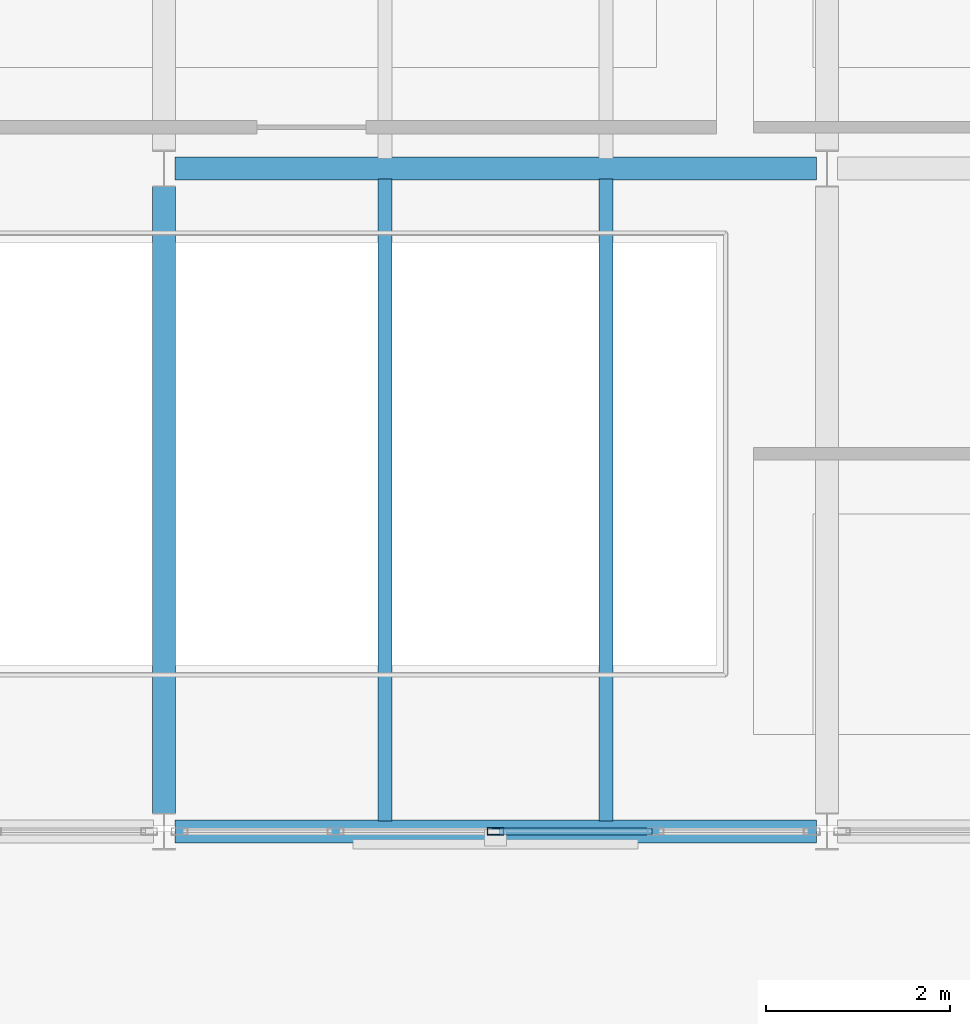
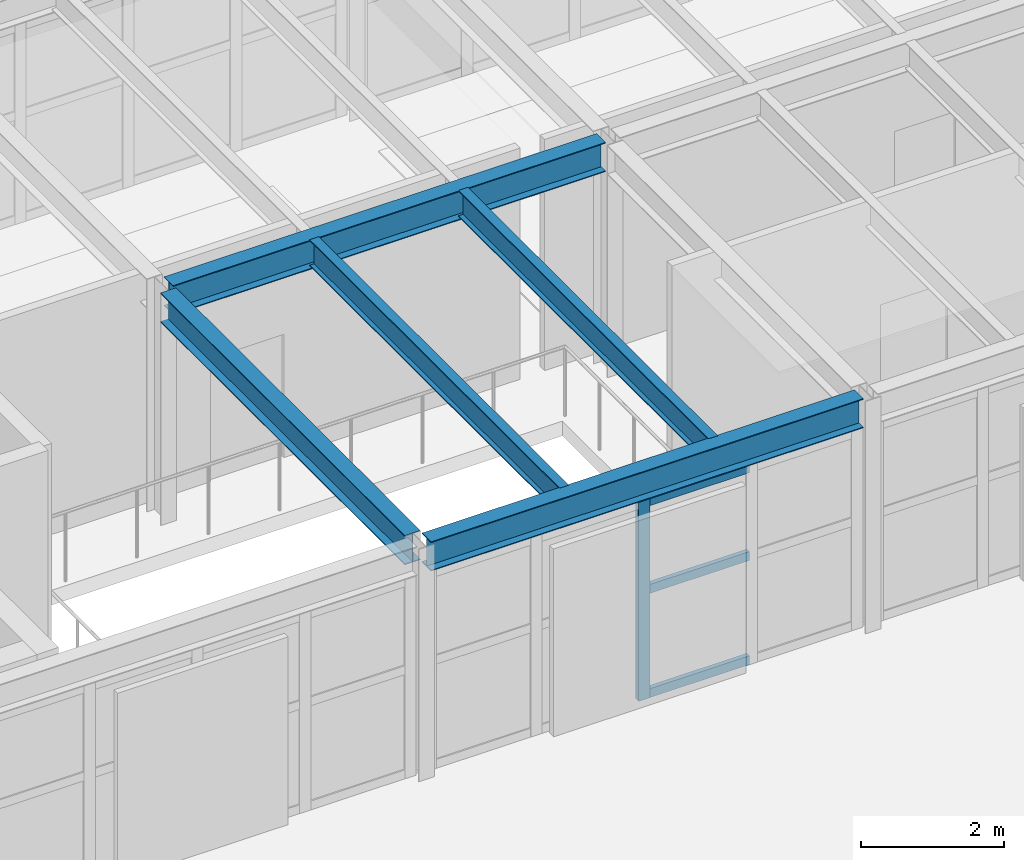
# One storey, part 14 of 37: 5 beams, 4 members, 1 element without a shape of its own.
"""IFC4 building model written with IfcOpenShell, lengths in metres."""

from ifc_helpers import new_model, si_unit, direction, frame, origin, origin_2d, place, context, subcontext, project, spatial, hollow_rectangle, i_section, extrude, material, layer, layer_set, material_profile, profile_set, type_object, element, aggregate, save


model = new_model("IFC4")

# Units and contexts
model_context = context("Model", 3, precision=1e-05, world=origin(), true_north=direction((0.0, 1.0)))
body_context = subcontext(model_context, "Body", "Model", "MODEL_VIEW")
ifc_project = project(units=[si_unit("LENGTHUNIT", "METRE"), si_unit("AREAUNIT", "SQUARE_METRE"), si_unit("VOLUMEUNIT", "CUBIC_METRE"), si_unit("PLANEANGLEUNIT", "RADIAN"), si_unit("MASSUNIT", "GRAM", prefix="KILO")], contexts=[model_context])

# Site, building, storey
site_placement = place(None, origin())
site = spatial("IfcSite", under=ifc_project, at=site_placement, CompositionType="ELEMENT")
building_placement = place(site_placement, origin())
building = spatial("IfcBuilding", under=site, at=building_placement, Name="Kandorven Conservatory and Botanical Research Centre", CompositionType="ELEMENT")
storey_placement = place(building_placement, frame((0.0, 0.0, 9.0)))
storey = spatial("IfcBuildingStorey", under=building, at=storey_placement, Name="L02", CompositionType="ELEMENT", Elevation=9.0)

# Beams
ifc_material_1 = material(Name="Steel S355 (IS 2062 E350)", Category="steel")
ifc_material_profile_1 = material_profile(ifc_material_1, i_section(OverallWidth=0.25, OverallDepth=0.5, WebThickness=0.010009765625, FlangeThickness=0.0146484375, at=origin_2d()))
ifc_profile_set_1 = profile_set([ifc_material_profile_1], Name="Steel S355 (IS 2062 E350)")
beam_type_1 = type_object("IfcBeamType", Name="Beam_FG-02", PredefinedType="USERDEFINED", material=ifc_profile_set_1)
for number, where, z_axis, x_axis, name in (
    (1, (63.715087890625, 13.199951171875, 3.7099609375), (1.0, 0.0, 0.0), (0.0, 1.0, 0.0), "Primary girder FG-02 VIS L02"),
    (2, (63.715087890625, 20.39990234375, 3.7099609375), (1.0, 0.0, 0.0), (0.0, 1.0, 0.0), "Primary girder FG-02 VIS L02"),
):
    element("IfcBeam", number, at=place(storey_placement, frame(where, z_axis=z_axis, x_axis=x_axis)), inside=storey, type_object=beam_type_1, Name=name, ObjectType="GIRDER", PredefinedType="USERDEFINED", context=body_context, shape_type="SweptSolid", body=[
        extrude(i_section(OverallWidth=0.25, OverallDepth=0.5, WebThickness=0.010009765625, FlangeThickness=0.0146484375, at=origin_2d()), origin(), (0.0, 0.0, 1.0), 6.969970703125),
    ])
beam_placement = place(storey_placement, frame((63.60009765625, 13.389892578125, 3.7099609375), z_axis=(0.0, 1.0, 0.0), x_axis=(-1.0, 0.0, 0.0)))
element("IfcBeam", 3, at=beam_placement, inside=storey, type_object=beam_type_1, Name="Primary girder FG-02 VIS L02", ObjectType="GIRDER", PredefinedType="USERDEFINED", context=body_context, shape_type="SweptSolid", body=[
    extrude(i_section(OverallWidth=0.25, OverallDepth=0.5, WebThickness=0.010009765625, FlangeThickness=0.0146484375, at=origin_2d()), origin(), (0.0, 0.0, 1.0), 6.820068359375),
])
ifc_material_2 = material(Name="Steel S355 (IS 2062 E350)", Category="steel")
ifc_material_profile_2 = material_profile(ifc_material_2, i_section(OverallWidth=0.14990234375, OverallDepth=0.449951171875, WebThickness=0.009521484375, FlangeThickness=0.017333984375, at=origin_2d()))
ifc_profile_set_2 = profile_set([ifc_material_profile_2], Name="Steel S355 (IS 2062 E350)")
beam_type_2 = type_object("IfcBeamType", Name="Beam_SB-04", PredefinedType="BEAM", material=ifc_profile_set_2)
for number, where, z_axis, x_axis, name in (
    (4, (66.0, 13.31005859375, 3.735107421875), (0.0, 1.0, 0.0), (-1.0, 0.0, 0.0), "Composite secondary beam SB-04 VIS L02"),
    (5, (68.39990234375, 13.31005859375, 3.735107421875), (0.0, 1.0, 0.0), (-1.0, 0.0, 0.0), "Composite secondary beam SB-04 VIS L02"),
):
    element("IfcBeam", number, at=place(storey_placement, frame(where, z_axis=z_axis, x_axis=x_axis)), inside=storey, type_object=beam_type_2, Name=name, PredefinedType="BEAM", context=body_context, shape_type="SweptSolid", body=[
        extrude(i_section(OverallWidth=0.14990234375, OverallDepth=0.449951171875, WebThickness=0.009521484375, FlangeThickness=0.017333984375, at=origin_2d()), origin(), (0.0, 0.0, 1.0), 6.97998046875),
    ])

# Curtain wall, members
ifc_material_3 = material(Name="Bronze anodised thermally broken aluminium", Category="aluminium")
ifc_layer = layer(ifc_material_3, 0.179931640625)
ifc_layer_set = layer_set([ifc_layer], Name="Bronze anodised thermally broken aluminium")
curtain_wall_type = type_object("IfcCurtainWallType", Name="CW_Unitised", PredefinedType="USERDEFINED", material=ifc_layer_set)
curtain_wall_placement = place(storey_placement, origin())
curtain_wall = element("IfcCurtainWall", 6, at=curtain_wall_placement, inside=storey, type_object=curtain_wall_type, Name="Visitor wing unitised curtain wall CW-VIS-S-L02-4", ObjectType="UNITISED GLAZING", PredefinedType="USERDEFINED")
ifc_material_4 = material(Name="Bronze anodised thermally broken aluminium", Category="aluminium")
ifc_material_profile_3 = material_profile(ifc_material_4, hollow_rectangle(XDim=0.080078125, YDim=0.179931640625, WallThickness=0.006103515625, at=origin_2d()))
ifc_profile_set_3 = profile_set([ifc_material_profile_3], Name="Bronze anodised thermally broken aluminium")
member_type_1 = type_object("IfcMemberType", Name="CW_Mullion", PredefinedType="MULLION", material=ifc_profile_set_3)
member_1_placement = place(storey_placement, frame((67.199951171875, 13.199951171875, 0.0), z_axis=(0.0, 0.0, 1.0), x_axis=(0.0, 1.0, 0.0)))
member_1 = element("IfcMember", 7, at=member_1_placement, type_object=member_type_1, Name="CW-01 mullion 3", PredefinedType="MULLION", context=body_context, shape_type="SweptSolid", body=[
    extrude(hollow_rectangle(XDim=0.080078125, YDim=0.179931640625, WallThickness=0.006103515625, at=origin_2d()), origin(), (0.0, 0.0, 1.0), 3.419921875),
])
ifc_material_5 = material(Name="Bronze anodised thermally broken aluminium", Category="aluminium")
ifc_material_profile_4 = material_profile(ifc_material_5, hollow_rectangle(XDim=0.074951171875, YDim=0.14990234375, WallThickness=0.006103515625, at=origin_2d()))
ifc_profile_set_4 = profile_set([ifc_material_profile_4], Name="Bronze anodised thermally broken aluminium")
member_type_2 = type_object("IfcMemberType", Name="CW_Transom", PredefinedType="USERDEFINED", material=ifc_profile_set_4)
member_2_placement = place(storey_placement, frame((67.239990234375, 13.199951171875, 0.074951171875), z_axis=(1.0, 0.0, 0.0), x_axis=(0.0, 1.0, 0.0)))
member_2 = element("IfcMember", 8, at=member_2_placement, type_object=member_type_2, Name="CW-01 transom 3.1", ObjectType="TRANSOM", PredefinedType="USERDEFINED", context=body_context, shape_type="SweptSolid", body=[
    extrude(hollow_rectangle(XDim=0.074951171875, YDim=0.14990234375, WallThickness=0.006103515625, at=origin_2d()), origin(), (0.0, 0.0, 1.0), 1.657470703125),
])
member_3_placement = place(storey_placement, frame((67.239990234375, 13.199951171875, 1.85009765625), z_axis=(1.0, 0.0, 0.0), x_axis=(0.0, 1.0, 0.0)))
member_3 = element("IfcMember", 9, at=member_3_placement, type_object=member_type_2, Name="CW-01 transom 3.2", ObjectType="TRANSOM", PredefinedType="USERDEFINED", context=body_context, shape_type="SweptSolid", body=[
    extrude(hollow_rectangle(XDim=0.074951171875, YDim=0.14990234375, WallThickness=0.006103515625, at=origin_2d()), origin(), (0.0, 0.0, 1.0), 1.657470703125),
])
member_4_placement = place(storey_placement, frame((67.239990234375, 13.199951171875, 3.344970703125), z_axis=(1.0, 0.0, 0.0), x_axis=(0.0, 1.0, 0.0)))
member_4 = element("IfcMember", 10, at=member_4_placement, type_object=member_type_2, Name="CW-01 transom 3.3", ObjectType="TRANSOM", PredefinedType="USERDEFINED", context=body_context, shape_type="SweptSolid", body=[
    extrude(hollow_rectangle(XDim=0.074951171875, YDim=0.14990234375, WallThickness=0.006103515625, at=origin_2d()), origin(), (0.0, 0.0, 1.0), 1.657470703125),
])
aggregate(curtain_wall, [member_1, member_2, member_3, member_4])

save(model, "model.ifc")
